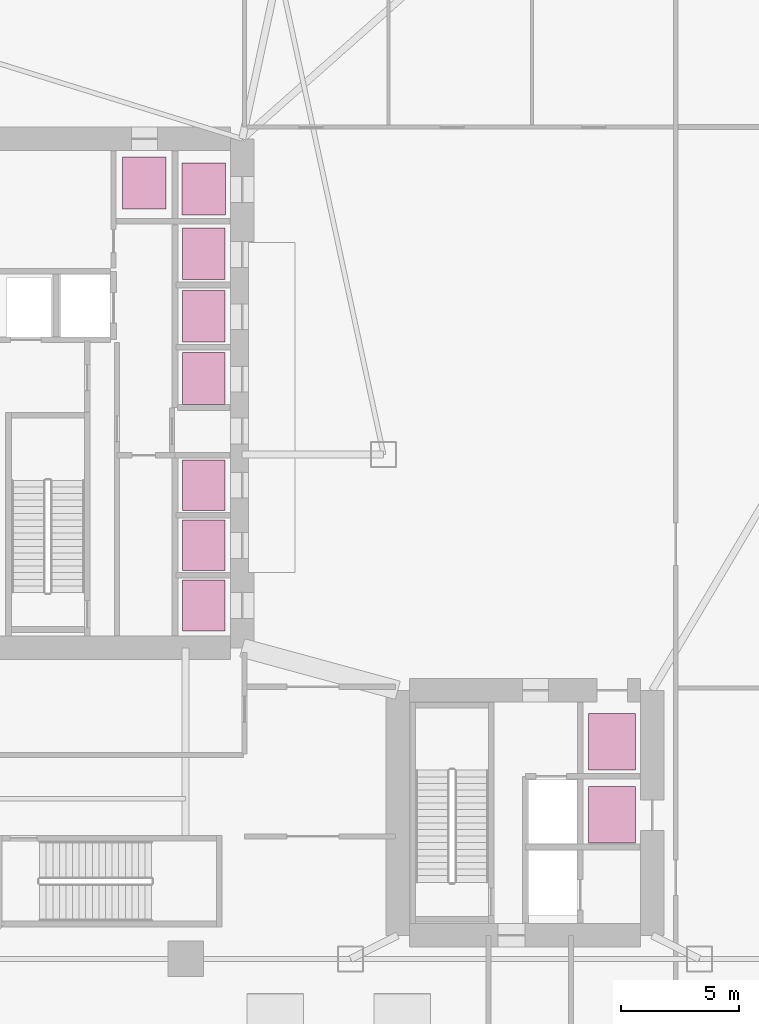
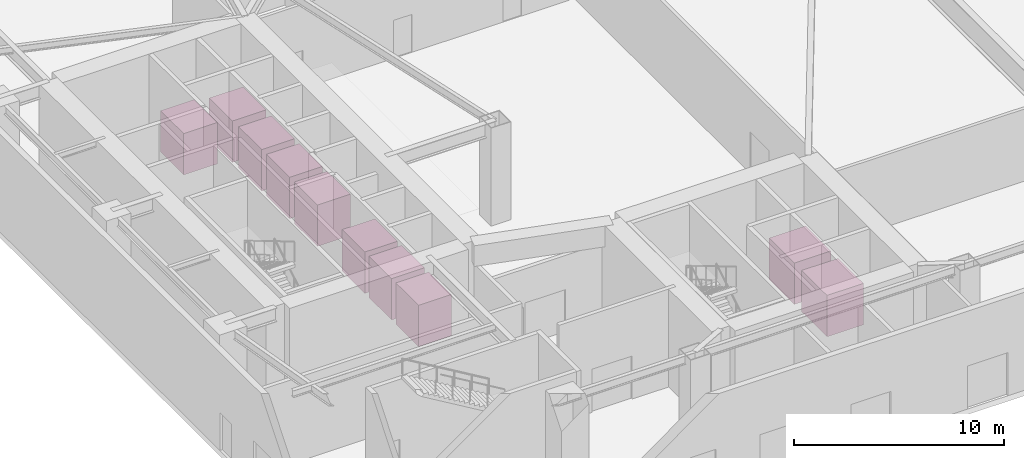
# One storey, part 20 of 20: 10 transport elements.
"""IFC4 building model written with IfcOpenShell, lengths in metres."""

from ifc_helpers import new_model, si_unit, direction, frame, origin, origin_2d, place, context, subcontext, project, spatial, rectangle, extrude, material, type_object, element, save


model = new_model("IFC4")

# Units and contexts
model_context = context("Model", 3, precision=1e-05, world=origin(), true_north=direction((0.0, 1.0)))
body_context = subcontext(model_context, "Body", "Model", "MODEL_VIEW")
ifc_project = project(units=[si_unit("LENGTHUNIT", "METRE"), si_unit("AREAUNIT", "SQUARE_METRE"), si_unit("VOLUMEUNIT", "CUBIC_METRE"), si_unit("PLANEANGLEUNIT", "RADIAN"), si_unit("MASSUNIT", "GRAM", prefix="KILO")], contexts=[model_context])

# Site, building, storey
site_placement = place(None, origin())
site = spatial("IfcSite", under=ifc_project, at=site_placement, CompositionType="ELEMENT")
building_placement = place(site_placement, origin())
building = spatial("IfcBuilding", under=site, at=building_placement, Name="Calvorn Quay Hotel", CompositionType="ELEMENT")
storey_placement = place(building_placement, origin())
storey = spatial("IfcBuildingStorey", under=building, at=storey_placement, Name="L00", CompositionType="ELEMENT", Elevation=0.0)

# Transport elements
ifc_material_1 = material(Name="Stainless Steel Elevator Cab", Category="steel")
transport_element_type_1 = type_object("IfcTransportElementType", Name="LFT-OBS-SHUTTLE", PredefinedType="ELEVATOR", material=ifc_material_1)
for number, where, z_axis, x_axis, name in (
    (1, (30.699951171875, 12.824951171875, 0.0), (0.0, 0.0, 1.0), (1.0, 0.0, 0.0), "Express Observation Lift PL-OB1"),
    (2, (30.699951171875, 9.72509765625, 0.0), (0.0, 0.0, 1.0), (1.0, 0.0, 0.0), "Express Observation Lift PL-OB2"),
):
    element("IfcTransportElement", number, at=place(storey_placement, frame(where, z_axis=z_axis, x_axis=x_axis)), inside=storey, type_object=transport_element_type_1, Name=name, PredefinedType="ELEVATOR", context=body_context, shape_type="SweptSolid", body=[
        extrude(rectangle(XDim=2.0, YDim=2.39990234375, at=origin_2d()), origin(), (0.0, 0.0, 1.0), 2.39990234375),
    ])
ifc_material_2 = material(Name="Stainless Steel Elevator Cab", Category="steel")
transport_element_type_2 = type_object("IfcTransportElementType", Name="LFT-PASS-HIGH", PredefinedType="ELEVATOR", material=ifc_material_2)
for number, where, z_axis, x_axis, name in (
    (3, (13.375, 36.27490234375, 0.0), (0.0, 0.0, 1.0), (1.0, 0.0, 0.0), "High-Rise Bank Lift PL-H1"),
    (4, (10.85009765625, 36.52490234375, 0.0), (0.0, 0.0, 1.0), (1.0, 0.0, 0.0), "High-Rise Bank Lift PL-H2"),
):
    element("IfcTransportElement", number, at=place(storey_placement, frame(where, z_axis=z_axis, x_axis=x_axis)), inside=storey, type_object=transport_element_type_2, Name=name, PredefinedType="ELEVATOR", context=body_context, shape_type="SweptSolid", body=[
        extrude(rectangle(XDim=1.85009765625, YDim=2.199951171875, at=origin_2d()), origin(), (0.0, 0.0, 1.0), 2.39990234375),
    ])
ifc_material_3 = material(Name="Stainless Steel Elevator Cab", Category="steel")
transport_element_type_3 = type_object("IfcTransportElementType", Name="LFT-PASS-LOW", PredefinedType="ELEVATOR", material=ifc_material_3)
for number, where, z_axis, x_axis, name in (
    (5, (13.375, 18.60009765625, 0.0), (0.0, 0.0, 1.0), (1.0, 0.0, 0.0), "Low-Rise Bank Lift PL-L1"),
    (6, (13.375, 21.14990234375, 0.0), (0.0, 0.0, 1.0), (1.0, 0.0, 0.0), "Low-Rise Bank Lift PL-L2"),
    (7, (13.375, 23.699951171875, 0.0), (0.0, 0.0, 1.0), (1.0, 0.0, 0.0), "Low-Rise Bank Lift PL-L3"),
):
    element("IfcTransportElement", number, at=place(storey_placement, frame(where, z_axis=z_axis, x_axis=x_axis)), inside=storey, type_object=transport_element_type_3, Name=name, PredefinedType="ELEVATOR", context=body_context, shape_type="SweptSolid", body=[
        extrude(rectangle(XDim=1.800048828125, YDim=2.14990234375, at=origin_2d()), origin(), (0.0, 0.0, 1.0), 2.39990234375),
    ])
ifc_material_4 = material(Name="Stainless Steel Elevator Cab", Category="steel")
transport_element_type_4 = type_object("IfcTransportElementType", Name="LFT-PASS-MID", PredefinedType="ELEVATOR", material=ifc_material_4)
for number, where, z_axis, x_axis, name in (
    (8, (13.375, 28.22509765625, 0.0), (0.0, 0.0, 1.0), (1.0, 0.0, 0.0), "Mid-Rise Bank Lift PL-M1"),
    (9, (13.375, 30.875, 0.0), (0.0, 0.0, 1.0), (1.0, 0.0, 0.0), "Mid-Rise Bank Lift PL-M2"),
    (10, (13.375, 33.52490234375, 0.0), (0.0, 0.0, 1.0), (1.0, 0.0, 0.0), "Mid-Rise Bank Lift PL-M3"),
):
    element("IfcTransportElement", number, at=place(storey_placement, frame(where, z_axis=z_axis, x_axis=x_axis)), inside=storey, type_object=transport_element_type_4, Name=name, PredefinedType="ELEVATOR", context=body_context, shape_type="SweptSolid", body=[
        extrude(rectangle(XDim=1.800048828125, YDim=2.199951171875, at=origin_2d()), origin(), (0.0, 0.0, 1.0), 2.39990234375),
    ])

save(model, "model.ifc")
